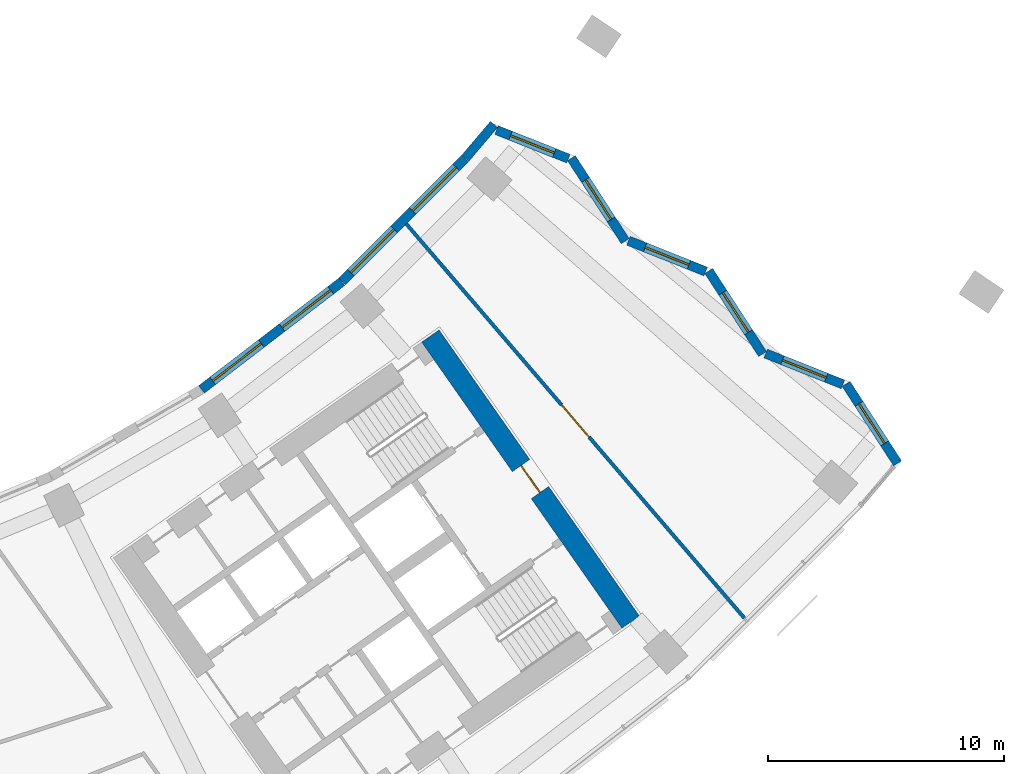
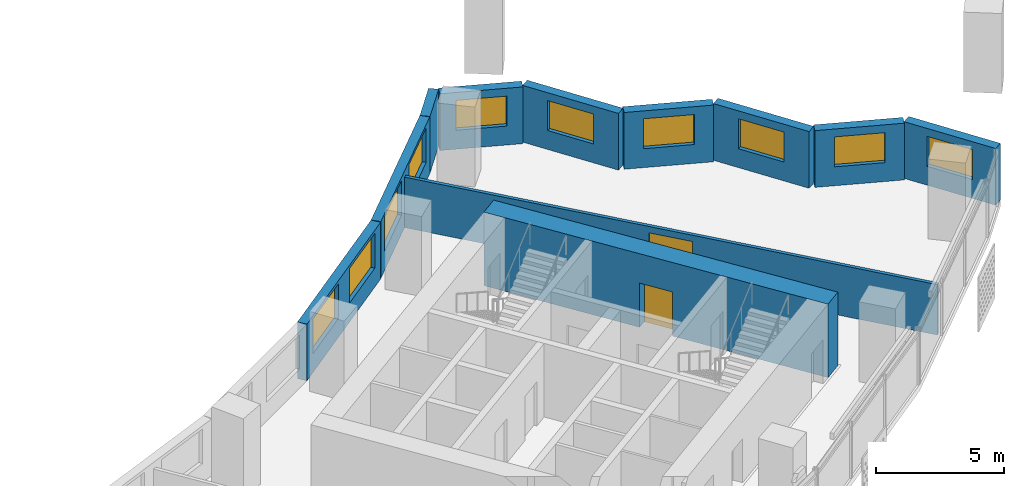
# One storey, part 8 of 29: 11 walls, 10 windows, 2 doors, 12 openings.
"""IFC4 building model written with IfcOpenShell, lengths in metres."""

from ifc_helpers import new_model, si_unit, direction, frame, frame_2d, origin, place, context, subcontext, project, spatial, rectangle, extrude, material, layer, layer_set, type_object, element, fill, save


model = new_model("IFC4")

# Units and contexts
model_context = context("Model", 3, precision=1e-05, world=origin(), true_north=direction((0.0, 1.0)))
body_context = subcontext(model_context, "Body", "Model", "MODEL_VIEW")
ifc_project = project(units=[si_unit("LENGTHUNIT", "METRE"), si_unit("AREAUNIT", "SQUARE_METRE"), si_unit("VOLUMEUNIT", "CUBIC_METRE"), si_unit("PLANEANGLEUNIT", "RADIAN"), si_unit("MASSUNIT", "GRAM", prefix="KILO")], contexts=[model_context])

# Site, building, storey
site_placement = place(None, origin())
site = spatial("IfcSite", under=ifc_project, at=site_placement, CompositionType="ELEMENT")
building_placement = place(site_placement, origin())
building = spatial("IfcBuilding", under=site, at=building_placement, Name="Qamariyya Broadcast Tower", CompositionType="ELEMENT")
storey_placement = place(building_placement, frame((0.0, 0.0, 113.89990234375)))
storey = spatial("IfcBuildingStorey", under=building, at=storey_placement, Name="L25", CompositionType="ELEMENT", Elevation=113.89990234375)

# Wall, opening, door
ifc_material_1 = material(Name="Concrete C70/85", Category="concrete")
ifc_layer_1 = layer(ifc_material_1, 0.89990234375)
ifc_layer_set_1 = layer_set([ifc_layer_1], Name="Core wall 900 mm Concrete C70/85")
wall_type_1 = type_object("IfcWallType", Name="Core wall 900 mm Concrete C70/85", PredefinedType="SHEAR", material=ifc_layer_set_1)
wall_1_placement = place(storey_placement, frame((49.778564453125, -57.191162109375, 0.0), z_axis=(0.0, 0.0, 1.0), x_axis=(-0.573577477574, 0.819151315216, 0.0)))
wall_1 = element("IfcWall", 1, at=wall_1_placement, inside=storey, type_object=wall_type_1, Name="k-E-L25-WH", PredefinedType="SHEAR", context=body_context, shape_type="SweptSolid", body=[
    extrude(rectangle(XDim=14.800048828125, YDim=0.89990234375, at=frame_2d((7.39990234375, 0.0))), origin(), (0.0, 0.0, 1.0), 3.5),
])
opening_1_placement = place(wall_1_placement, frame((6.699951171875, 0.0, 0.0)))
opening_1 = element("IfcOpeningElement", 2, at=opening_1_placement, cuts=wall_1, Name="Opening KD2-E1", PredefinedType="OPENING", context=body_context, shape_type="SweptSolid", body=[
    extrude(rectangle(XDim=1.39990234375, YDim=2.10009765625, at=frame_2d((0.699951171875, 1.050048828125))), frame((0.0, 0.4599609375, 0.0), z_axis=(0.0, -1.0, 0.0), x_axis=(1.0, 0.0, 0.0)), (0.0, 0.0, 1.0), 0.919921875),
])
ifc_material_2 = material(Name="Steel fire-resisting door leaf", Category="steel")
door_type_1 = type_object("IfcDoorType", Name="Fire-fighting lobby door KD2", OperationType="DOUBLE_DOOR_SINGLE_SWING", PredefinedType="DOOR", material=ifc_material_2)
door_1_placement = place(opening_1_placement, origin())
door_1 = element("IfcDoor", 3, at=door_1_placement, inside=storey, type_object=door_type_1, Name="k-E-L25-WH-D16", OperationType="DOUBLE_DOOR_SINGLE_SWING", OverallHeight=2.10009765625, OverallWidth=1.39990234375, PredefinedType="DOOR", context=body_context, shape_type="SweptSolid", body=[
    extrude(rectangle(XDim=1.39990234375, YDim=2.10009765625, at=frame_2d((0.699951171875, 1.050048828125))), frame((0.0, 0.02490234375, 0.0), z_axis=(0.0, -1.0, 0.0), x_axis=(1.0, 0.0, 0.0)), (0.0, 0.0, 1.0), 0.050048828125),
])
fill(opening_1, door_1)

ifc_material_3 = material(Name="Gypsum board partition")
ifc_layer_2 = layer(ifc_material_3, 0.14990234375)
ifc_layer_set_2 = layer_set([ifc_layer_2], Name="Corridor partition 150 EI 60")
wall_type_2 = type_object("IfcWallType", Name="Corridor partition 150 EI 60", PredefinedType="PARTITIONING", material=ifc_layer_set_2)
wall_2_placement = place(storey_placement, frame((40.267578125, -40.310791015625, 0.0), z_axis=(0.0, 0.0, 1.0), x_axis=(0.650987681244, -0.759088294514, 0.0)))
wall_2 = element("IfcWall", 4, at=wall_2_placement, inside=storey, type_object=wall_type_2, Name="Partition L25-036", PredefinedType="PARTITIONING", context=body_context, shape_type="SweptSolid", body=[
    extrude(rectangle(XDim=22.017822265625, YDim=0.14990234375, at=frame_2d((11.0087890625, 0.0))), origin(), (0.0, 0.0, 1.0), 2.400146484375),
])
opening_2_placement = place(wall_2_placement, frame((10.10888671875, 0.0, 0.0)))
opening_2 = element("IfcOpeningElement", 5, at=opening_2_placement, cuts=wall_2, Name="Opening L25-D17", PredefinedType="OPENING", context=body_context, shape_type="SweptSolid", body=[
    extrude(rectangle(XDim=1.800048828125, YDim=2.10009765625, at=frame_2d((0.89990234375, 1.050048828125))), frame((0.0, 0.0849609375, 0.0), z_axis=(0.0, -1.0, 0.0), x_axis=(1.0, 0.0, 0.0)), (0.0, 0.0, 1.0), 0.169921875),
])
ifc_material_4 = material(Name="Timber fire door leaf", Category="wood")
door_type_2 = type_object("IfcDoorType", Name="Double fire door 1800 x 2100 FD60", OperationType="NOTDEFINED", PredefinedType="DOOR", material=ifc_material_4)
door_2_placement = place(opening_2_placement, origin())
door_2 = element("IfcDoor", 6, at=door_2_placement, inside=storey, type_object=door_type_2, Name="Door L25-D17", OperationType="DOUBLE_DOOR_SINGLE_SWING", OverallHeight=2.10009765625, OverallWidth=1.800048828125, PredefinedType="DOOR", context=body_context, shape_type="SweptSolid", body=[
    extrude(rectangle(XDim=1.800048828125, YDim=2.10009765625, at=frame_2d((0.89990234375, 1.050048828125))), frame((0.0, 0.02490234375, 0.0), z_axis=(0.0, -1.0, 0.0), x_axis=(1.0, 0.0, 0.0)), (0.0, 0.0, 1.0), 0.050048828125),
])
fill(opening_2, door_2)

# Wall, opening, window
ifc_material_5 = material(Name="Terracotta", Category="masonry")
ifc_layer_3 = layer(ifc_material_5, 0.39990234375)
ifc_layer_set_3 = layer_set([ifc_layer_3], Name="Terracotta clad wall 400")
wall_type_3 = type_object("IfcWallType", Name="Terracotta clad wall 400", PredefinedType="SOLIDWALL", material=ifc_layer_set_3)
wall_3_placement = place(storey_placement, frame((61.093994140625, -50.462158203125, 0.0), z_axis=(0.0, 0.0, 1.0), x_axis=(-0.543957327498, 0.839112880285, 0.0)))
wall_3 = element("IfcWall", 7, at=wall_3_placement, inside=storey, type_object=wall_type_3, Name="e-wl-L25-capE0", PredefinedType="SOLIDWALL", context=body_context, shape_type="SweptSolid", body=[
    extrude(rectangle(XDim=4.013427734375, YDim=0.39990234375, at=frame_2d((2.0068359375, 0.0))), origin(), (0.0, 0.0, 1.0), 2.7001953125),
])
opening_3_placement = place(wall_3_placement, frame((1.0068359375, 0.0, 0.89990234375)))
opening_3 = element("IfcOpeningElement", 8, at=opening_3_placement, cuts=wall_3, Name="Opening W4", PredefinedType="OPENING", context=body_context, shape_type="SweptSolid", body=[
    extrude(rectangle(XDim=2.0, YDim=1.425048828125, at=frame_2d((1.0, 0.71240234375))), frame((0.0, 0.2099609375, 0.0), z_axis=(0.0, -1.0, 0.0), x_axis=(1.0, 0.0, 0.0)), (0.0, 0.0, 1.0), 0.419921875),
])
ifc_material_6 = material(Name="Clear low-e double glazed unit in aluminium frame", Category="aluminium")
window_type_1 = type_object("IfcWindowType", Name="Horn bay window 2000 x 1425", PartitioningType="SINGLE_PANEL", PredefinedType="WINDOW", material=ifc_material_6)
window_1_placement = place(opening_3_placement, origin())
window_1 = element("IfcWindow", 9, at=window_1_placement, inside=storey, type_object=window_type_1, Name="e-w-L25-capE0", OverallHeight=1.425048828125, OverallWidth=2.0, PartitioningType="SINGLE_PANEL", PredefinedType="WINDOW", context=body_context, shape_type="SweptSolid", body=[
    extrude(rectangle(XDim=2.0, YDim=1.425048828125, at=frame_2d((1.0, 0.71240234375))), frame((0.0, 0.030029296875, 0.0), z_axis=(0.0, -1.0, 0.0), x_axis=(1.0, 0.0, 0.0)), (0.0, 0.0, 1.0), 0.06005859375),
])
fill(opening_3, window_1)

wall_4_placement = place(storey_placement, frame((58.779052734375, -47.113525390625, 0.0), z_axis=(0.0, 0.0, 1.0), x_axis=(-0.929091475965, 0.369850009177, 0.0)))
wall_4 = element("IfcWall", 10, at=wall_4_placement, inside=storey, type_object=wall_type_3, Name="e-wl-L25-capE1", PredefinedType="SOLIDWALL", context=body_context, shape_type="SweptSolid", body=[
    extrude(rectangle(XDim=3.525634765625, YDim=0.39990234375, at=frame_2d((1.7626953125, 0.0))), origin(), (0.0, 0.0, 1.0), 2.7001953125),
])
opening_4_placement = place(wall_4_placement, frame((0.762939453125, 0.0, 0.89990234375)))
opening_4 = element("IfcOpeningElement", 11, at=opening_4_placement, cuts=wall_4, Name="Opening W4", PredefinedType="OPENING", context=body_context, shape_type="SweptSolid", body=[
    extrude(rectangle(XDim=2.0, YDim=1.425048828125, at=frame_2d((1.0, 0.71240234375))), frame((0.0, 0.2099609375, 0.0), z_axis=(0.0, -1.0, 0.0), x_axis=(1.0, 0.0, 0.0)), (0.0, 0.0, 1.0), 0.419921875),
])
window_2_placement = place(opening_4_placement, origin())
window_2 = element("IfcWindow", 12, at=window_2_placement, inside=storey, type_object=window_type_1, Name="e-w-L25-capE1", OverallHeight=1.425048828125, OverallWidth=2.0, PartitioningType="SINGLE_PANEL", PredefinedType="WINDOW", context=body_context, shape_type="SweptSolid", body=[
    extrude(rectangle(XDim=2.0, YDim=1.425048828125, at=frame_2d((1.0, 0.71240234375))), frame((0.0, 0.030029296875, 0.0), z_axis=(0.0, -1.0, 0.0), x_axis=(1.0, 0.0, 0.0)), (0.0, 0.0, 1.0), 0.06005859375),
])
fill(opening_4, window_2)

wall_5_placement = place(storey_placement, frame((55.37158203125, -45.82861328125, 0.0), z_axis=(0.0, 0.0, 1.0), x_axis=(-0.544040463579, 0.839058981233, 0.0)))
wall_5 = element("IfcWall", 13, at=wall_5_placement, inside=storey, type_object=wall_type_3, Name="e-wl-L25-capE2", PredefinedType="SOLIDWALL", context=body_context, shape_type="SweptSolid", body=[
    extrude(rectangle(XDim=4.193115234375, YDim=0.39990234375, at=frame_2d((2.0966796875, 0.0))), origin(), (0.0, 0.0, 1.0), 2.7001953125),
])
opening_5_placement = place(wall_5_placement, frame((1.0966796875, 0.0, 0.89990234375)))
opening_5 = element("IfcOpeningElement", 14, at=opening_5_placement, cuts=wall_5, Name="Opening W4", PredefinedType="OPENING", context=body_context, shape_type="SweptSolid", body=[
    extrude(rectangle(XDim=2.0, YDim=1.425048828125, at=frame_2d((1.0, 0.71240234375))), frame((0.0, 0.2099609375, 0.0), z_axis=(0.0, -1.0, 0.0), x_axis=(1.0, 0.0, 0.0)), (0.0, 0.0, 1.0), 0.419921875),
])
window_3_placement = place(opening_5_placement, origin())
window_3 = element("IfcWindow", 15, at=window_3_placement, inside=storey, type_object=window_type_1, Name="e-w-L25-capE2", OverallHeight=1.425048828125, OverallWidth=2.0, PartitioningType="SINGLE_PANEL", PredefinedType="WINDOW", context=body_context, shape_type="SweptSolid", body=[
    extrude(rectangle(XDim=2.0, YDim=1.425048828125, at=frame_2d((1.0, 0.71240234375))), frame((0.0, 0.030029296875, 0.0), z_axis=(0.0, -1.0, 0.0), x_axis=(1.0, 0.0, 0.0)), (0.0, 0.0, 1.0), 0.06005859375),
])
fill(opening_5, window_3)

wall_6_placement = place(storey_placement, frame((52.95849609375, -42.329345703125, 0.0), z_axis=(0.0, 0.0, 1.0), x_axis=(-0.929134449702, 0.369742037611, 0.0)))
wall_6 = element("IfcWall", 16, at=wall_6_placement, inside=storey, type_object=wall_type_3, Name="e-wl-L25-capE3", PredefinedType="SOLIDWALL", context=body_context, shape_type="SweptSolid", body=[
    extrude(rectangle(XDim=3.524658203125, YDim=0.39990234375, at=frame_2d((1.76220703125, 0.0))), origin(), (0.0, 0.0, 1.0), 2.7001953125),
])
opening_6_placement = place(wall_6_placement, frame((0.762451171875, 0.0, 0.89990234375)))
opening_6 = element("IfcOpeningElement", 17, at=opening_6_placement, cuts=wall_6, Name="Opening W4", PredefinedType="OPENING", context=body_context, shape_type="SweptSolid", body=[
    extrude(rectangle(XDim=2.0, YDim=1.425048828125, at=frame_2d((1.0, 0.71240234375))), frame((0.0, 0.2099609375, 0.0), z_axis=(0.0, -1.0, 0.0), x_axis=(1.0, 0.0, 0.0)), (0.0, 0.0, 1.0), 0.419921875),
])
window_4_placement = place(opening_6_placement, origin())
window_4 = element("IfcWindow", 18, at=window_4_placement, inside=storey, type_object=window_type_1, Name="e-w-L25-capE3", OverallHeight=1.425048828125, OverallWidth=2.0, PartitioningType="SINGLE_PANEL", PredefinedType="WINDOW", context=body_context, shape_type="SweptSolid", body=[
    extrude(rectangle(XDim=2.0, YDim=1.425048828125, at=frame_2d((1.0, 0.71240234375))), frame((0.0, 0.030029296875, 0.0), z_axis=(0.0, -1.0, 0.0), x_axis=(1.0, 0.0, 0.0)), (0.0, 0.0, 1.0), 0.06005859375),
])
fill(opening_6, window_4)

wall_7_placement = place(storey_placement, frame((49.5517578125, -41.045166015625, 0.0), z_axis=(0.0, 0.0, 1.0), x_axis=(-0.544124665924, 0.839004378971, 0.0)))
wall_7 = element("IfcWall", 19, at=wall_7_placement, inside=storey, type_object=wall_type_3, Name="e-wl-L25-capE4", PredefinedType="SOLIDWALL", context=body_context, shape_type="SweptSolid", body=[
    extrude(rectangle(XDim=4.1943359375, YDim=0.39990234375, at=frame_2d((2.09716796875, 0.0))), origin(), (0.0, 0.0, 1.0), 2.7001953125),
])
opening_7_placement = place(wall_7_placement, frame((1.09716796875, 0.0, 0.89990234375)))
opening_7 = element("IfcOpeningElement", 20, at=opening_7_placement, cuts=wall_7, Name="Opening W4", PredefinedType="OPENING", context=body_context, shape_type="SweptSolid", body=[
    extrude(rectangle(XDim=2.0, YDim=1.425048828125, at=frame_2d((1.0, 0.71240234375))), frame((0.0, 0.2099609375, 0.0), z_axis=(0.0, -1.0, 0.0), x_axis=(1.0, 0.0, 0.0)), (0.0, 0.0, 1.0), 0.419921875),
])
window_5_placement = place(opening_7_placement, origin())
window_5 = element("IfcWindow", 21, at=window_5_placement, inside=storey, type_object=window_type_1, Name="e-w-L25-capE4", OverallHeight=1.425048828125, OverallWidth=2.0, PartitioningType="SINGLE_PANEL", PredefinedType="WINDOW", context=body_context, shape_type="SweptSolid", body=[
    extrude(rectangle(XDim=2.0, YDim=1.425048828125, at=frame_2d((1.0, 0.71240234375))), frame((0.0, 0.030029296875, 0.0), z_axis=(0.0, -1.0, 0.0), x_axis=(1.0, 0.0, 0.0)), (0.0, 0.0, 1.0), 0.06005859375),
])
fill(opening_7, window_5)

wall_8_placement = place(storey_placement, frame((47.1376953125, -37.545166015625, 0.0), z_axis=(0.0, 0.0, 1.0), x_axis=(-0.929169083768, 0.369654992892, 0.0)))
wall_8 = element("IfcWall", 22, at=wall_8_placement, inside=storey, type_object=wall_type_3, Name="e-wl-L25-capE5", PredefinedType="SOLIDWALL", context=body_context, shape_type="SweptSolid", body=[
    extrude(rectangle(XDim=3.275146484375, YDim=0.39990234375, at=frame_2d((1.6376953125, 0.0))), origin(), (0.0, 0.0, 1.0), 2.7001953125),
])
opening_8_placement = place(wall_8_placement, frame((0.6376953125, 0.0, 0.89990234375)))
opening_8 = element("IfcOpeningElement", 23, at=opening_8_placement, cuts=wall_8, Name="Opening W4", PredefinedType="OPENING", context=body_context, shape_type="SweptSolid", body=[
    extrude(rectangle(XDim=2.0, YDim=1.425048828125, at=frame_2d((1.0, 0.71240234375))), frame((0.0, 0.2099609375, 0.0), z_axis=(0.0, -1.0, 0.0), x_axis=(1.0, 0.0, 0.0)), (0.0, 0.0, 1.0), 0.419921875),
])
window_6_placement = place(opening_8_placement, origin())
window_6 = element("IfcWindow", 24, at=window_6_placement, inside=storey, type_object=window_type_1, Name="e-w-L25-capE5", OverallHeight=1.425048828125, OverallWidth=2.0, PartitioningType="SINGLE_PANEL", PredefinedType="WINDOW", context=body_context, shape_type="SweptSolid", body=[
    extrude(rectangle(XDim=2.0, YDim=1.425048828125, at=frame_2d((1.0, 0.71240234375))), frame((0.0, 0.030029296875, 0.0), z_axis=(0.0, -1.0, 0.0), x_axis=(1.0, 0.0, 0.0)), (0.0, 0.0, 1.0), 0.06005859375),
])
fill(opening_8, window_6)

# Wall, openings, windows
wall_9_placement = place(storey_placement, frame((37.536865234375, -42.764892578125, 0.0), z_axis=(0.0, 0.0, 1.0), x_axis=(-0.793363487476, -0.608748204711, 0.0)))
wall_9 = element("IfcWall", 25, at=wall_9_placement, inside=storey, type_object=wall_type_3, Name="e-wl-L25-in140", PredefinedType="SOLIDWALL", context=body_context, shape_type="SweptSolid", body=[
    extrude(rectangle(XDim=7.492919921875, YDim=0.39990234375, at=frame_2d((3.74658203125, 0.0))), origin(), (0.0, 0.0, 1.0), 2.7001953125),
])
opening_9_placement = place(wall_9_placement, frame((4.300537109375, 0.0, 0.89990234375)))
opening_9 = element("IfcOpeningElement", 26, at=opening_9_placement, cuts=wall_9, Name="Opening W1", PredefinedType="OPENING", context=body_context, shape_type="SweptSolid", body=[
    extrude(rectangle(XDim=2.60009765625, YDim=1.64990234375, at=frame_2d((1.300048828125, 0.824951171875))), frame((0.0, 0.2099609375, 0.0), z_axis=(0.0, -1.0, 0.0), x_axis=(1.0, 0.0, 0.0)), (0.0, 0.0, 1.0), 0.419921875),
])
opening_10_placement = place(wall_9_placement, frame((0.59228515625, 0.0, 0.89990234375)))
opening_10 = element("IfcOpeningElement", 27, at=opening_10_placement, cuts=wall_9, Name="Opening W1", PredefinedType="OPENING", context=body_context, shape_type="SweptSolid", body=[
    extrude(rectangle(XDim=2.60009765625, YDim=1.64990234375, at=frame_2d((1.300048828125, 0.824951171875))), frame((0.0, 0.2099609375, 0.0), z_axis=(0.0, -1.0, 0.0), x_axis=(1.0, 0.0, 0.0)), (0.0, 0.0, 1.0), 0.419921875),
])
window_type_2 = type_object("IfcWindowType", Name="Ribbon window 2600 x 1650", PartitioningType="SINGLE_PANEL", PredefinedType="WINDOW", material=ifc_material_6)
window_7_placement = place(opening_9_placement, origin())
window_7 = element("IfcWindow", 28, at=window_7_placement, inside=storey, type_object=window_type_2, Name="e-w-L25-in14-0", OverallHeight=1.64990234375, OverallWidth=2.60009765625, PartitioningType="SINGLE_PANEL", PredefinedType="WINDOW", context=body_context, shape_type="SweptSolid", body=[
    extrude(rectangle(XDim=2.60009765625, YDim=1.64990234375, at=frame_2d((1.300048828125, 0.824951171875))), frame((0.0, 0.030029296875, 0.0), z_axis=(0.0, -1.0, 0.0), x_axis=(1.0, 0.0, 0.0)), (0.0, 0.0, 1.0), 0.06005859375),
])
fill(opening_9, window_7)
window_8_placement = place(opening_10_placement, origin())
window_8 = element("IfcWindow", 29, at=window_8_placement, inside=storey, type_object=window_type_2, Name="e-w-L25-in14-1", OverallHeight=1.64990234375, OverallWidth=2.60009765625, PartitioningType="SINGLE_PANEL", PredefinedType="WINDOW", context=body_context, shape_type="SweptSolid", body=[
    extrude(rectangle(XDim=2.60009765625, YDim=1.64990234375, at=frame_2d((1.300048828125, 0.824951171875))), frame((0.0, 0.030029296875, 0.0), z_axis=(0.0, -1.0, 0.0), x_axis=(1.0, 0.0, 0.0)), (0.0, 0.0, 1.0), 0.06005859375),
])
fill(opening_10, window_8)

wall_10_placement = place(storey_placement, frame((42.75439453125, -37.54248046875, 0.0), z_axis=(0.0, 0.0, 1.0), x_axis=(-0.707090186526, -0.707123375458, 0.0)))
wall_10 = element("IfcWall", 30, at=wall_10_placement, inside=storey, type_object=wall_type_3, Name="e-wl-L25-in150", PredefinedType="SOLIDWALL", context=body_context, shape_type="SweptSolid", body=[
    extrude(rectangle(XDim=7.356201171875, YDim=0.39990234375, at=frame_2d((3.67822265625, 0.0))), origin(), (0.0, 0.0, 1.0), 2.7001953125),
])
opening_11_placement = place(wall_10_placement, frame((4.239501953125, 0.0, 0.89990234375)))
opening_11 = element("IfcOpeningElement", 31, at=opening_11_placement, cuts=wall_10, Name="Opening W1", PredefinedType="OPENING", context=body_context, shape_type="SweptSolid", body=[
    extrude(rectangle(XDim=2.60009765625, YDim=1.64990234375, at=frame_2d((1.300048828125, 0.824951171875))), frame((0.0, 0.2099609375, 0.0), z_axis=(0.0, -1.0, 0.0), x_axis=(1.0, 0.0, 0.0)), (0.0, 0.0, 1.0), 0.419921875),
])
opening_12_placement = place(wall_10_placement, frame((0.53125, 0.0, 0.89990234375)))
opening_12 = element("IfcOpeningElement", 32, at=opening_12_placement, cuts=wall_10, Name="Opening W1", PredefinedType="OPENING", context=body_context, shape_type="SweptSolid", body=[
    extrude(rectangle(XDim=2.60009765625, YDim=1.64990234375, at=frame_2d((1.300048828125, 0.824951171875))), frame((0.0, 0.2099609375, 0.0), z_axis=(0.0, -1.0, 0.0), x_axis=(1.0, 0.0, 0.0)), (0.0, 0.0, 1.0), 0.419921875),
])
window_9_placement = place(opening_11_placement, origin())
window_9 = element("IfcWindow", 33, at=window_9_placement, inside=storey, type_object=window_type_2, Name="e-w-L25-in15-0", OverallHeight=1.64990234375, OverallWidth=2.60009765625, PartitioningType="SINGLE_PANEL", PredefinedType="WINDOW", context=body_context, shape_type="SweptSolid", body=[
    extrude(rectangle(XDim=2.60009765625, YDim=1.64990234375, at=frame_2d((1.300048828125, 0.824951171875))), frame((0.0, 0.030029296875, 0.0), z_axis=(0.0, -1.0, 0.0), x_axis=(1.0, 0.0, 0.0)), (0.0, 0.0, 1.0), 0.06005859375),
])
fill(opening_11, window_9)
window_10_placement = place(opening_12_placement, origin())
window_10 = element("IfcWindow", 34, at=window_10_placement, inside=storey, type_object=window_type_2, Name="e-w-L25-in15-1", OverallHeight=1.64990234375, OverallWidth=2.60009765625, PartitioningType="SINGLE_PANEL", PredefinedType="WINDOW", context=body_context, shape_type="SweptSolid", body=[
    extrude(rectangle(XDim=2.60009765625, YDim=1.64990234375, at=frame_2d((1.300048828125, 0.824951171875))), frame((0.0, 0.030029296875, 0.0), z_axis=(0.0, -1.0, 0.0), x_axis=(1.0, 0.0, 0.0)), (0.0, 0.0, 1.0), 0.06005859375),
])
fill(opening_12, window_10)

# Wall
wall_11_placement = place(storey_placement, frame((43.985107421875, -36.09716796875, 0.0), z_axis=(0.0, 0.0, 1.0), x_axis=(-0.647237932449, -0.762288041884, 0.0)))
element("IfcWall", 35, at=wall_11_placement, inside=storey, type_object=wall_type_3, Name="e-wl-L25-in160", PredefinedType="SOLIDWALL", context=body_context, shape_type="SweptSolid", body=[
    extrude(rectangle(XDim=1.88232421875, YDim=0.39990234375, at=frame_2d((0.941162109375, 0.0))), origin(), (0.0, 0.0, 1.0), 2.7001953125),
])

save(model, "model.ifc")
